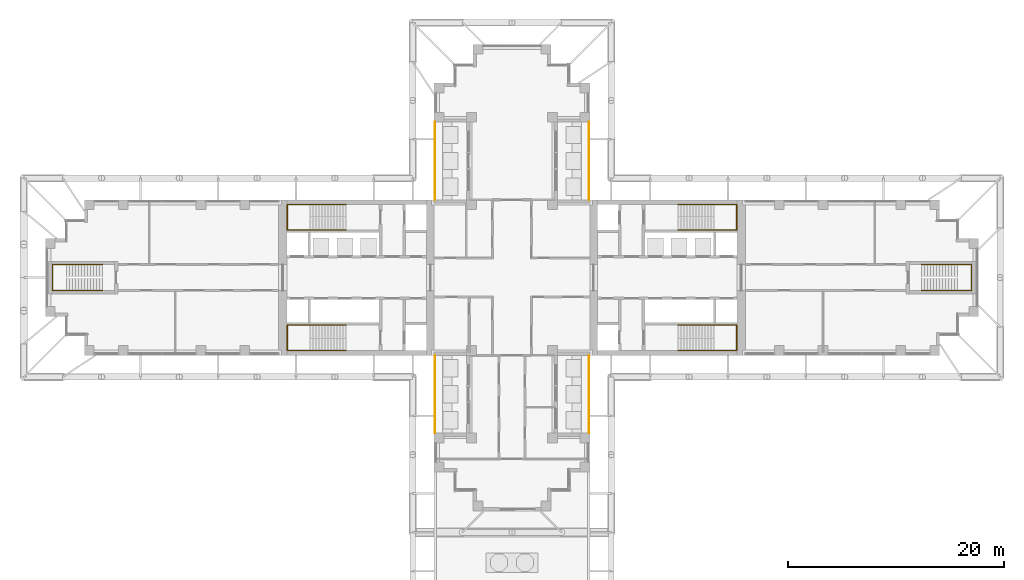
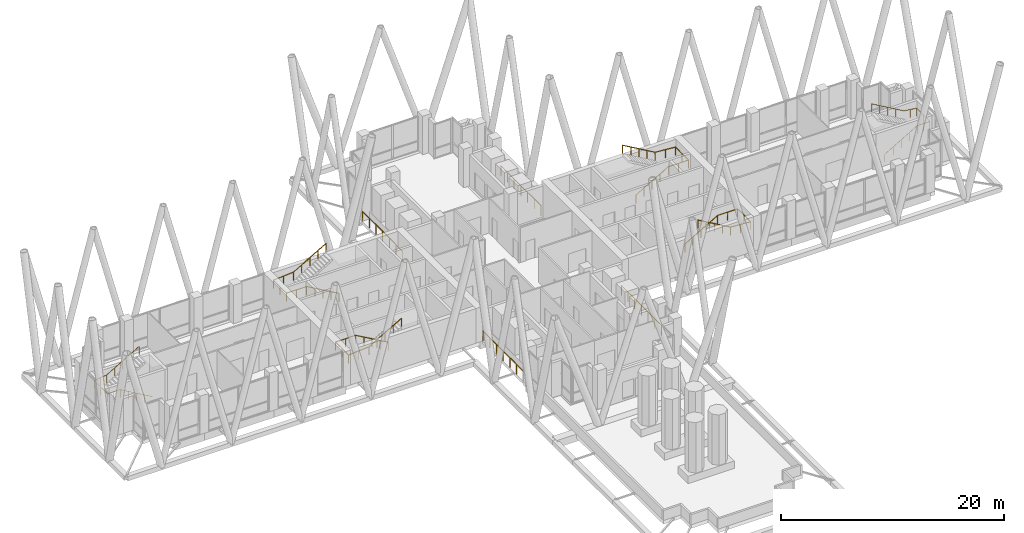
# One storey, part 20 of 22: 10 railings.
"""IFC4 building model written with IfcOpenShell, lengths in metres."""

from ifc_helpers import new_model, si_unit, direction, frame, origin, origin_2d, place, context, subcontext, project, spatial, circle, extrude, material, type_object, element, save


model = new_model("IFC4")

# Units and contexts
model_context = context("Model", 3, precision=1e-05, world=origin(), true_north=direction((0.0, 1.0)))
body_context = subcontext(model_context, "Body", "Model", "MODEL_VIEW")
ifc_project = project(units=[si_unit("LENGTHUNIT", "METRE"), si_unit("AREAUNIT", "SQUARE_METRE"), si_unit("VOLUMEUNIT", "CUBIC_METRE"), si_unit("PLANEANGLEUNIT", "RADIAN"), si_unit("MASSUNIT", "GRAM", prefix="KILO")], contexts=[model_context])

# Site, building, storey
site_placement = place(None, origin())
site = spatial("IfcSite", under=ifc_project, at=site_placement, CompositionType="ELEMENT")
building_placement = place(site_placement, origin())
building = spatial("IfcBuilding", under=site, at=building_placement, Name="Fustian Cross Tower", CompositionType="ELEMENT")
storey_placement = place(building_placement, frame((0.0, 0.0, 116.10009765625)))
storey = spatial("IfcBuildingStorey", under=building, at=storey_placement, Name="L36", CompositionType="ELEMENT", Elevation=116.10009765625)

# Railings
ifc_material_1 = material(Name="Stainless steel and glass", Category="steel")
railing_type_1 = type_object("IfcRailingType", Name="GR1 BALCONY GUARD 1100", PredefinedType="GUARDRAIL", material=ifc_material_1)
for number, where, name in (
    (1, (7.14990234375, 7.199951171875, 0.0), "Balcony guard"),
    (2, (-7.14990234375, 7.199951171875, 0.0), "Balcony guard"),
    (3, (7.14990234375, -14.39990234375, 0.0), "Balcony guard"),
    (4, (-7.14990234375, -14.39990234375, 0.0), "Balcony guard"),
):
    element("IfcRailing", number, at=place(storey_placement, frame(where)), inside=storey, type_object=railing_type_1, Name=name, PredefinedType="GUARDRAIL", context=body_context, shape_type="SweptSolid", body=[
        extrude(circle(Radius=0.02392578125, at=origin_2d()), frame((0.0, 0.0, 1.076171875), z_axis=(0.0, 1.0, 0.0), x_axis=(-1.0, 0.0, 0.0)), (0.0, 0.0, 1.0), 7.199951171875),
        extrude(circle(Radius=0.02099609375, at=origin_2d()), origin(), (0.0, 0.0, 1.0), 1.052001953125),
        extrude(circle(Radius=0.02099609375, at=origin_2d()), frame((0.0, 1.199951171875, 0.0)), (0.0, 0.0, 1.0), 1.052001953125),
        extrude(circle(Radius=0.02099609375, at=origin_2d()), frame((0.0, 2.39990234375, 0.0)), (0.0, 0.0, 1.0), 1.052001953125),
        extrude(circle(Radius=0.02099609375, at=origin_2d()), frame((0.0, 3.60009765625, 0.0)), (0.0, 0.0, 1.0), 1.052001953125),
        extrude(circle(Radius=0.02099609375, at=origin_2d()), frame((0.0, 4.800048828125, 0.0)), (0.0, 0.0, 1.0), 1.052001953125),
        extrude(circle(Radius=0.02099609375, at=origin_2d()), frame((0.0, 6.0, 0.0)), (0.0, 0.0, 1.0), 1.052001953125),
        extrude(circle(Radius=0.02099609375, at=origin_2d()), frame((0.0, 7.199951171875, 0.0)), (0.0, 0.0, 1.0), 1.052001953125),
    ])
ifc_material_2 = material(Name="Stainless steel", Category="steel")
railing_type_2 = type_object("IfcRailingType", Name="STAIR HANDRAIL", PredefinedType="HANDRAIL", material=ifc_material_2)
railing_1_placement = place(storey_placement, frame((15.35009765625, 4.39990234375, 0.161376953125)))
element("IfcRailing", 5, at=railing_1_placement, inside=storey, type_object=railing_type_2, Name="Stair ST1 handrail 1", PredefinedType="HANDRAIL", context=body_context, shape_type="SweptSolid", body=[
    extrude(circle(Radius=0.02490234375, at=origin_2d()), frame((0.0, 0.0, 0.875), z_axis=(0.866175107563, 0.0, 0.499740615757), x_axis=(0.0, 1.0, 0.0)), (0.0, 0.0, 1.0), 3.87890625),
    extrude(circle(Radius=0.02490234375, at=origin_2d()), frame((3.35986328125, 0.0, 2.8134765625), z_axis=(1.0, 0.0, 0.0), x_axis=(0.0, 1.0, 0.0)), (0.0, 0.0, 1.0), 2.10009765625),
    extrude(circle(Radius=0.02490234375, at=origin_2d()), frame((5.4599609375, 0.0, 2.8134765625), z_axis=(0.0, 1.0, 0.0), x_axis=(-1.0, 0.0, 0.0)), (0.0, 0.0, 1.0), 2.35009765625),
    extrude(circle(Radius=0.02490234375, at=origin_2d()), frame((5.4599609375, 2.35009765625, 2.8134765625), z_axis=(-0.997051757594, 0.0, 0.076731953444), x_axis=(0.0, -1.0, 0.0)), (0.0, 0.0, 1.0), 2.106201171875),
    extrude(circle(Radius=0.02490234375, at=origin_2d()), frame((3.35986328125, 2.35009765625, 2.97509765625), z_axis=(-0.866175107563, 0.0, 0.499740615757), x_axis=(0.0, -1.0, 0.0)), (0.0, 0.0, 1.0), 3.87890625),
    extrude(circle(Radius=0.02001953125, at=origin_2d()), origin(), (0.0, 0.0, 1.0), 0.849853515625),
    extrude(circle(Radius=0.02001953125, at=origin_2d()), frame((0.83984375, 0.0, 0.484619140625)), (0.0, 0.0, 1.0), 0.849853515625),
    extrude(circle(Radius=0.02001953125, at=origin_2d()), frame((1.679931640625, 0.0, 0.96923828125)), (0.0, 0.0, 1.0), 0.849853515625),
    extrude(circle(Radius=0.02001953125, at=origin_2d()), frame((2.52001953125, 0.0, 1.453857421875)), (0.0, 0.0, 1.0), 0.849853515625),
    extrude(circle(Radius=0.02001953125, at=origin_2d()), frame((3.35986328125, 0.0, 1.9384765625)), (0.0, 0.0, 1.0), 0.849853515625),
    extrude(circle(Radius=0.02001953125, at=origin_2d()), frame((4.409912109375, 0.0, 1.9384765625)), (0.0, 0.0, 1.0), 0.849853515625),
    extrude(circle(Radius=0.02001953125, at=origin_2d()), frame((5.4599609375, 0.0, 1.9384765625)), (0.0, 0.0, 1.0), 0.849853515625),
    extrude(circle(Radius=0.02001953125, at=origin_2d()), frame((5.4599609375, 1.175048828125, 1.9384765625)), (0.0, 0.0, 1.0), 0.849853515625),
    extrude(circle(Radius=0.02001953125, at=origin_2d()), frame((5.4599609375, 2.35009765625, 1.9384765625)), (0.0, 0.0, 1.0), 0.849853515625),
    extrude(circle(Radius=0.02001953125, at=origin_2d()), frame((4.409912109375, 2.35009765625, 2.019287109375)), (0.0, 0.0, 1.0), 0.849853515625),
    extrude(circle(Radius=0.02001953125, at=origin_2d()), frame((3.35986328125, 2.35009765625, 2.10009765625)), (0.0, 0.0, 1.0), 0.849853515625),
    extrude(circle(Radius=0.02001953125, at=origin_2d()), frame((2.52001953125, 2.35009765625, 2.584716796875)), (0.0, 0.0, 1.0), 0.849853515625),
    extrude(circle(Radius=0.02001953125, at=origin_2d()), frame((1.679931640625, 2.35009765625, 3.0693359375)), (0.0, 0.0, 1.0), 0.849853515625),
    extrude(circle(Radius=0.02001953125, at=origin_2d()), frame((0.83984375, 2.35009765625, 3.553955078125)), (0.0, 0.0, 1.0), 0.849853515625),
    extrude(circle(Radius=0.02001953125, at=origin_2d()), frame((0.0, 2.35009765625, 4.03857421875)), (0.0, 0.0, 1.0), 0.849853515625),
])
railing_2_placement = place(storey_placement, frame((15.35009765625, -4.39990234375, 0.161376953125)))
element("IfcRailing", 6, at=railing_2_placement, inside=storey, type_object=railing_type_2, Name="Stair ST2 handrail 1", PredefinedType="HANDRAIL", context=body_context, shape_type="SweptSolid", body=[
    extrude(circle(Radius=0.02490234375, at=origin_2d()), frame((0.0, 0.0, 0.875), z_axis=(0.866175107563, 0.0, 0.499740615757), x_axis=(0.0, 1.0, 0.0)), (0.0, 0.0, 1.0), 3.87890625),
    extrude(circle(Radius=0.02490234375, at=origin_2d()), frame((3.35986328125, 0.0, 2.8134765625), z_axis=(1.0, 0.0, 0.0), x_axis=(0.0, 1.0, 0.0)), (0.0, 0.0, 1.0), 2.10009765625),
    extrude(circle(Radius=0.02490234375, at=origin_2d()), frame((5.4599609375, 0.0, 2.8134765625), z_axis=(0.0, -1.0, 0.0), x_axis=(1.0, 0.0, 0.0)), (0.0, 0.0, 1.0), 2.35009765625),
    extrude(circle(Radius=0.02490234375, at=origin_2d()), frame((5.4599609375, -2.35009765625, 2.8134765625), z_axis=(-0.997051757594, 0.0, 0.076731953444), x_axis=(0.0, -1.0, 0.0)), (0.0, 0.0, 1.0), 2.106201171875),
    extrude(circle(Radius=0.02490234375, at=origin_2d()), frame((3.35986328125, -2.35009765625, 2.97509765625), z_axis=(-0.866175107563, 0.0, 0.499740615757), x_axis=(0.0, -1.0, 0.0)), (0.0, 0.0, 1.0), 3.87890625),
    extrude(circle(Radius=0.02001953125, at=origin_2d()), origin(), (0.0, 0.0, 1.0), 0.849853515625),
    extrude(circle(Radius=0.02001953125, at=origin_2d()), frame((0.83984375, 0.0, 0.484619140625)), (0.0, 0.0, 1.0), 0.849853515625),
    extrude(circle(Radius=0.02001953125, at=origin_2d()), frame((1.679931640625, 0.0, 0.96923828125)), (0.0, 0.0, 1.0), 0.849853515625),
    extrude(circle(Radius=0.02001953125, at=origin_2d()), frame((2.52001953125, 0.0, 1.453857421875)), (0.0, 0.0, 1.0), 0.849853515625),
    extrude(circle(Radius=0.02001953125, at=origin_2d()), frame((3.35986328125, 0.0, 1.9384765625)), (0.0, 0.0, 1.0), 0.849853515625),
    extrude(circle(Radius=0.02001953125, at=origin_2d()), frame((4.409912109375, 0.0, 1.9384765625)), (0.0, 0.0, 1.0), 0.849853515625),
    extrude(circle(Radius=0.02001953125, at=origin_2d()), frame((5.4599609375, 0.0, 1.9384765625)), (0.0, 0.0, 1.0), 0.849853515625),
    extrude(circle(Radius=0.02001953125, at=origin_2d()), frame((5.4599609375, -1.175048828125, 1.9384765625)), (0.0, 0.0, 1.0), 0.849853515625),
    extrude(circle(Radius=0.02001953125, at=origin_2d()), frame((5.4599609375, -2.35009765625, 1.9384765625)), (0.0, 0.0, 1.0), 0.849853515625),
    extrude(circle(Radius=0.02001953125, at=origin_2d()), frame((4.409912109375, -2.35009765625, 2.019287109375)), (0.0, 0.0, 1.0), 0.849853515625),
    extrude(circle(Radius=0.02001953125, at=origin_2d()), frame((3.35986328125, -2.35009765625, 2.10009765625)), (0.0, 0.0, 1.0), 0.849853515625),
    extrude(circle(Radius=0.02001953125, at=origin_2d()), frame((2.52001953125, -2.35009765625, 2.584716796875)), (0.0, 0.0, 1.0), 0.849853515625),
    extrude(circle(Radius=0.02001953125, at=origin_2d()), frame((1.679931640625, -2.35009765625, 3.0693359375)), (0.0, 0.0, 1.0), 0.849853515625),
    extrude(circle(Radius=0.02001953125, at=origin_2d()), frame((0.83984375, -2.35009765625, 3.553955078125)), (0.0, 0.0, 1.0), 0.849853515625),
    extrude(circle(Radius=0.02001953125, at=origin_2d()), frame((0.0, -2.35009765625, 4.03857421875)), (0.0, 0.0, 1.0), 0.849853515625),
])
railing_3_placement = place(storey_placement, frame((-15.35009765625, 4.39990234375, 0.161376953125)))
element("IfcRailing", 7, at=railing_3_placement, inside=storey, type_object=railing_type_2, Name="Stair ST3 handrail 1", PredefinedType="HANDRAIL", context=body_context, shape_type="SweptSolid", body=[
    extrude(circle(Radius=0.02490234375, at=origin_2d()), frame((0.0, 0.0, 0.875), z_axis=(-0.866175107563, 0.0, 0.499740615757), x_axis=(0.0, -1.0, 0.0)), (0.0, 0.0, 1.0), 3.87890625),
    extrude(circle(Radius=0.02490234375, at=origin_2d()), frame((-3.35986328125, 0.0, 2.8134765625), z_axis=(-1.0, 0.0, 0.0), x_axis=(0.0, -1.0, 0.0)), (0.0, 0.0, 1.0), 2.10009765625),
    extrude(circle(Radius=0.02490234375, at=origin_2d()), frame((-5.4599609375, 0.0, 2.8134765625), z_axis=(0.0, 1.0, 0.0), x_axis=(-1.0, 0.0, 0.0)), (0.0, 0.0, 1.0), 2.35009765625),
    extrude(circle(Radius=0.02490234375, at=origin_2d()), frame((-5.4599609375, 2.35009765625, 2.8134765625), z_axis=(0.997051757594, 0.0, 0.076731953444), x_axis=(0.0, 1.0, 0.0)), (0.0, 0.0, 1.0), 2.106201171875),
    extrude(circle(Radius=0.02490234375, at=origin_2d()), frame((-3.35986328125, 2.35009765625, 2.97509765625), z_axis=(0.866175107563, 0.0, 0.499740615757), x_axis=(0.0, 1.0, 0.0)), (0.0, 0.0, 1.0), 3.87890625),
    extrude(circle(Radius=0.02001953125, at=origin_2d()), origin(), (0.0, 0.0, 1.0), 0.849853515625),
    extrude(circle(Radius=0.02001953125, at=origin_2d()), frame((-0.83984375, 0.0, 0.484619140625)), (0.0, 0.0, 1.0), 0.849853515625),
    extrude(circle(Radius=0.02001953125, at=origin_2d()), frame((-1.679931640625, 0.0, 0.96923828125)), (0.0, 0.0, 1.0), 0.849853515625),
    extrude(circle(Radius=0.02001953125, at=origin_2d()), frame((-2.52001953125, 0.0, 1.453857421875)), (0.0, 0.0, 1.0), 0.849853515625),
    extrude(circle(Radius=0.02001953125, at=origin_2d()), frame((-3.35986328125, 0.0, 1.9384765625)), (0.0, 0.0, 1.0), 0.849853515625),
    extrude(circle(Radius=0.02001953125, at=origin_2d()), frame((-4.409912109375, 0.0, 1.9384765625)), (0.0, 0.0, 1.0), 0.849853515625),
    extrude(circle(Radius=0.02001953125, at=origin_2d()), frame((-5.4599609375, 0.0, 1.9384765625)), (0.0, 0.0, 1.0), 0.849853515625),
    extrude(circle(Radius=0.02001953125, at=origin_2d()), frame((-5.4599609375, 1.175048828125, 1.9384765625)), (0.0, 0.0, 1.0), 0.849853515625),
    extrude(circle(Radius=0.02001953125, at=origin_2d()), frame((-5.4599609375, 2.35009765625, 1.9384765625)), (0.0, 0.0, 1.0), 0.849853515625),
    extrude(circle(Radius=0.02001953125, at=origin_2d()), frame((-4.409912109375, 2.35009765625, 2.019287109375)), (0.0, 0.0, 1.0), 0.849853515625),
    extrude(circle(Radius=0.02001953125, at=origin_2d()), frame((-3.35986328125, 2.35009765625, 2.10009765625)), (0.0, 0.0, 1.0), 0.849853515625),
    extrude(circle(Radius=0.02001953125, at=origin_2d()), frame((-2.52001953125, 2.35009765625, 2.584716796875)), (0.0, 0.0, 1.0), 0.849853515625),
    extrude(circle(Radius=0.02001953125, at=origin_2d()), frame((-1.679931640625, 2.35009765625, 3.0693359375)), (0.0, 0.0, 1.0), 0.849853515625),
    extrude(circle(Radius=0.02001953125, at=origin_2d()), frame((-0.83984375, 2.35009765625, 3.553955078125)), (0.0, 0.0, 1.0), 0.849853515625),
    extrude(circle(Radius=0.02001953125, at=origin_2d()), frame((0.0, 2.35009765625, 4.03857421875)), (0.0, 0.0, 1.0), 0.849853515625),
])
railing_4_placement = place(storey_placement, frame((-15.35009765625, -4.39990234375, 0.161376953125)))
element("IfcRailing", 8, at=railing_4_placement, inside=storey, type_object=railing_type_2, Name="Stair ST4 handrail 1", PredefinedType="HANDRAIL", context=body_context, shape_type="SweptSolid", body=[
    extrude(circle(Radius=0.02490234375, at=origin_2d()), frame((0.0, 0.0, 0.875), z_axis=(-0.866175107563, 0.0, 0.499740615757), x_axis=(0.0, -1.0, 0.0)), (0.0, 0.0, 1.0), 3.87890625),
    extrude(circle(Radius=0.02490234375, at=origin_2d()), frame((-3.35986328125, 0.0, 2.8134765625), z_axis=(-1.0, 0.0, 0.0), x_axis=(0.0, -1.0, 0.0)), (0.0, 0.0, 1.0), 2.10009765625),
    extrude(circle(Radius=0.02490234375, at=origin_2d()), frame((-5.4599609375, 0.0, 2.8134765625), z_axis=(0.0, -1.0, 0.0), x_axis=(1.0, 0.0, 0.0)), (0.0, 0.0, 1.0), 2.35009765625),
    extrude(circle(Radius=0.02490234375, at=origin_2d()), frame((-5.4599609375, -2.35009765625, 2.8134765625), z_axis=(0.997051757594, 0.0, 0.076731953444), x_axis=(0.0, 1.0, 0.0)), (0.0, 0.0, 1.0), 2.106201171875),
    extrude(circle(Radius=0.02490234375, at=origin_2d()), frame((-3.35986328125, -2.35009765625, 2.97509765625), z_axis=(0.866175107563, 0.0, 0.499740615757), x_axis=(0.0, 1.0, 0.0)), (0.0, 0.0, 1.0), 3.87890625),
    extrude(circle(Radius=0.02001953125, at=origin_2d()), origin(), (0.0, 0.0, 1.0), 0.849853515625),
    extrude(circle(Radius=0.02001953125, at=origin_2d()), frame((-0.83984375, 0.0, 0.484619140625)), (0.0, 0.0, 1.0), 0.849853515625),
    extrude(circle(Radius=0.02001953125, at=origin_2d()), frame((-1.679931640625, 0.0, 0.96923828125)), (0.0, 0.0, 1.0), 0.849853515625),
    extrude(circle(Radius=0.02001953125, at=origin_2d()), frame((-2.52001953125, 0.0, 1.453857421875)), (0.0, 0.0, 1.0), 0.849853515625),
    extrude(circle(Radius=0.02001953125, at=origin_2d()), frame((-3.35986328125, 0.0, 1.9384765625)), (0.0, 0.0, 1.0), 0.849853515625),
    extrude(circle(Radius=0.02001953125, at=origin_2d()), frame((-4.409912109375, 0.0, 1.9384765625)), (0.0, 0.0, 1.0), 0.849853515625),
    extrude(circle(Radius=0.02001953125, at=origin_2d()), frame((-5.4599609375, 0.0, 1.9384765625)), (0.0, 0.0, 1.0), 0.849853515625),
    extrude(circle(Radius=0.02001953125, at=origin_2d()), frame((-5.4599609375, -1.175048828125, 1.9384765625)), (0.0, 0.0, 1.0), 0.849853515625),
    extrude(circle(Radius=0.02001953125, at=origin_2d()), frame((-5.4599609375, -2.35009765625, 1.9384765625)), (0.0, 0.0, 1.0), 0.849853515625),
    extrude(circle(Radius=0.02001953125, at=origin_2d()), frame((-4.409912109375, -2.35009765625, 2.019287109375)), (0.0, 0.0, 1.0), 0.849853515625),
    extrude(circle(Radius=0.02001953125, at=origin_2d()), frame((-3.35986328125, -2.35009765625, 2.10009765625)), (0.0, 0.0, 1.0), 0.849853515625),
    extrude(circle(Radius=0.02001953125, at=origin_2d()), frame((-2.52001953125, -2.35009765625, 2.584716796875)), (0.0, 0.0, 1.0), 0.849853515625),
    extrude(circle(Radius=0.02001953125, at=origin_2d()), frame((-1.679931640625, -2.35009765625, 3.0693359375)), (0.0, 0.0, 1.0), 0.849853515625),
    extrude(circle(Radius=0.02001953125, at=origin_2d()), frame((-0.83984375, -2.35009765625, 3.553955078125)), (0.0, 0.0, 1.0), 0.849853515625),
    extrude(circle(Radius=0.02001953125, at=origin_2d()), frame((0.0, -2.35009765625, 4.03857421875)), (0.0, 0.0, 1.0), 0.849853515625),
])
railing_5_placement = place(storey_placement, frame((37.89990234375, -1.199951171875, 0.161376953125)))
element("IfcRailing", 9, at=railing_5_placement, inside=storey, type_object=railing_type_2, Name="Stair ST8 handrail 1", PredefinedType="HANDRAIL", context=body_context, shape_type="SweptSolid", body=[
    extrude(circle(Radius=0.02490234375, at=origin_2d()), frame((0.0, 0.0, 0.875), z_axis=(0.866190824863, 0.0, 0.499713372768), x_axis=(0.0, 1.0, 0.0)), (0.0, 0.0, 1.0), 3.879150390625),
    extrude(circle(Radius=0.02490234375, at=origin_2d()), frame((3.360107421875, 0.0, 2.8134765625), z_axis=(1.0, 0.0, 0.0), x_axis=(0.0, 1.0, 0.0)), (0.0, 0.0, 1.0), 1.300048828125),
    extrude(circle(Radius=0.02490234375, at=origin_2d()), frame((4.66015625, 0.0, 2.8134765625), z_axis=(0.0, 1.0, 0.0), x_axis=(-1.0, 0.0, 0.0)), (0.0, 0.0, 1.0), 2.39990234375),
    extrude(circle(Radius=0.02490234375, at=origin_2d()), frame((4.66015625, 2.39990234375, 2.8134765625), z_axis=(-0.992360798486, 0.0, 0.123369549032), x_axis=(0.0, -1.0, 0.0)), (0.0, 0.0, 1.0), 1.31005859375),
    extrude(circle(Radius=0.02490234375, at=origin_2d()), frame((3.360107421875, 2.39990234375, 2.97509765625), z_axis=(-0.866190824863, 0.0, 0.499713372768), x_axis=(0.0, -1.0, 0.0)), (0.0, 0.0, 1.0), 3.879150390625),
    extrude(circle(Radius=0.02001953125, at=origin_2d()), origin(), (0.0, 0.0, 1.0), 0.849853515625),
    extrude(circle(Radius=0.02001953125, at=origin_2d()), frame((0.840087890625, 0.0, 0.484619140625)), (0.0, 0.0, 1.0), 0.849853515625),
    extrude(circle(Radius=0.02001953125, at=origin_2d()), frame((1.68017578125, 0.0, 0.96923828125)), (0.0, 0.0, 1.0), 0.849853515625),
    extrude(circle(Radius=0.02001953125, at=origin_2d()), frame((2.52001953125, 0.0, 1.453857421875)), (0.0, 0.0, 1.0), 0.849853515625),
    extrude(circle(Radius=0.02001953125, at=origin_2d()), frame((3.360107421875, 0.0, 1.9384765625)), (0.0, 0.0, 1.0), 0.849853515625),
    extrude(circle(Radius=0.02001953125, at=origin_2d()), frame((4.01025390625, 0.0, 1.9384765625)), (0.0, 0.0, 1.0), 0.849853515625),
    extrude(circle(Radius=0.02001953125, at=origin_2d()), frame((4.66015625, 0.0, 1.9384765625)), (0.0, 0.0, 1.0), 0.849853515625),
    extrude(circle(Radius=0.02001953125, at=origin_2d()), frame((4.66015625, 1.199951171875, 1.9384765625)), (0.0, 0.0, 1.0), 0.849853515625),
    extrude(circle(Radius=0.02001953125, at=origin_2d()), frame((4.66015625, 2.39990234375, 1.9384765625)), (0.0, 0.0, 1.0), 0.849853515625),
    extrude(circle(Radius=0.02001953125, at=origin_2d()), frame((4.01025390625, 2.39990234375, 2.019287109375)), (0.0, 0.0, 1.0), 0.849853515625),
    extrude(circle(Radius=0.02001953125, at=origin_2d()), frame((3.360107421875, 2.39990234375, 2.10009765625)), (0.0, 0.0, 1.0), 0.849853515625),
    extrude(circle(Radius=0.02001953125, at=origin_2d()), frame((2.52001953125, 2.39990234375, 2.584716796875)), (0.0, 0.0, 1.0), 0.849853515625),
    extrude(circle(Radius=0.02001953125, at=origin_2d()), frame((1.68017578125, 2.39990234375, 3.0693359375)), (0.0, 0.0, 1.0), 0.849853515625),
    extrude(circle(Radius=0.02001953125, at=origin_2d()), frame((0.840087890625, 2.39990234375, 3.553955078125)), (0.0, 0.0, 1.0), 0.849853515625),
    extrude(circle(Radius=0.02001953125, at=origin_2d()), frame((0.0, 2.39990234375, 4.03857421875)), (0.0, 0.0, 1.0), 0.849853515625),
])
railing_6_placement = place(storey_placement, frame((-37.89990234375, -1.199951171875, 0.161376953125)))
element("IfcRailing", 10, at=railing_6_placement, inside=storey, type_object=railing_type_2, Name="Stair ST9 handrail 1", PredefinedType="HANDRAIL", context=body_context, shape_type="SweptSolid", body=[
    extrude(circle(Radius=0.02490234375, at=origin_2d()), frame((0.0, 0.0, 0.875), z_axis=(-0.866190824863, 0.0, 0.499713372768), x_axis=(0.0, -1.0, 0.0)), (0.0, 0.0, 1.0), 3.879150390625),
    extrude(circle(Radius=0.02490234375, at=origin_2d()), frame((-3.360107421875, 0.0, 2.8134765625), z_axis=(-1.0, 0.0, 0.0), x_axis=(0.0, -1.0, 0.0)), (0.0, 0.0, 1.0), 1.300048828125),
    extrude(circle(Radius=0.02490234375, at=origin_2d()), frame((-4.66015625, 0.0, 2.8134765625), z_axis=(0.0, 1.0, 0.0), x_axis=(-1.0, 0.0, 0.0)), (0.0, 0.0, 1.0), 2.39990234375),
    extrude(circle(Radius=0.02490234375, at=origin_2d()), frame((-4.66015625, 2.39990234375, 2.8134765625), z_axis=(0.992360798486, 0.0, 0.123369549032), x_axis=(0.0, 1.0, 0.0)), (0.0, 0.0, 1.0), 1.31005859375),
    extrude(circle(Radius=0.02490234375, at=origin_2d()), frame((-3.360107421875, 2.39990234375, 2.97509765625), z_axis=(0.866190824863, 0.0, 0.499713372768), x_axis=(0.0, 1.0, 0.0)), (0.0, 0.0, 1.0), 3.879150390625),
    extrude(circle(Radius=0.02001953125, at=origin_2d()), origin(), (0.0, 0.0, 1.0), 0.849853515625),
    extrude(circle(Radius=0.02001953125, at=origin_2d()), frame((-0.840087890625, 0.0, 0.484619140625)), (0.0, 0.0, 1.0), 0.849853515625),
    extrude(circle(Radius=0.02001953125, at=origin_2d()), frame((-1.68017578125, 0.0, 0.96923828125)), (0.0, 0.0, 1.0), 0.849853515625),
    extrude(circle(Radius=0.02001953125, at=origin_2d()), frame((-2.52001953125, 0.0, 1.453857421875)), (0.0, 0.0, 1.0), 0.849853515625),
    extrude(circle(Radius=0.02001953125, at=origin_2d()), frame((-3.360107421875, 0.0, 1.9384765625)), (0.0, 0.0, 1.0), 0.849853515625),
    extrude(circle(Radius=0.02001953125, at=origin_2d()), frame((-4.01025390625, 0.0, 1.9384765625)), (0.0, 0.0, 1.0), 0.849853515625),
    extrude(circle(Radius=0.02001953125, at=origin_2d()), frame((-4.66015625, 0.0, 1.9384765625)), (0.0, 0.0, 1.0), 0.849853515625),
    extrude(circle(Radius=0.02001953125, at=origin_2d()), frame((-4.66015625, 1.199951171875, 1.9384765625)), (0.0, 0.0, 1.0), 0.849853515625),
    extrude(circle(Radius=0.02001953125, at=origin_2d()), frame((-4.66015625, 2.39990234375, 1.9384765625)), (0.0, 0.0, 1.0), 0.849853515625),
    extrude(circle(Radius=0.02001953125, at=origin_2d()), frame((-4.01025390625, 2.39990234375, 2.019287109375)), (0.0, 0.0, 1.0), 0.849853515625),
    extrude(circle(Radius=0.02001953125, at=origin_2d()), frame((-3.360107421875, 2.39990234375, 2.10009765625)), (0.0, 0.0, 1.0), 0.849853515625),
    extrude(circle(Radius=0.02001953125, at=origin_2d()), frame((-2.52001953125, 2.39990234375, 2.584716796875)), (0.0, 0.0, 1.0), 0.849853515625),
    extrude(circle(Radius=0.02001953125, at=origin_2d()), frame((-1.68017578125, 2.39990234375, 3.0693359375)), (0.0, 0.0, 1.0), 0.849853515625),
    extrude(circle(Radius=0.02001953125, at=origin_2d()), frame((-0.840087890625, 2.39990234375, 3.553955078125)), (0.0, 0.0, 1.0), 0.849853515625),
    extrude(circle(Radius=0.02001953125, at=origin_2d()), frame((0.0, 2.39990234375, 4.03857421875)), (0.0, 0.0, 1.0), 0.849853515625),
])

save(model, "model.ifc")
